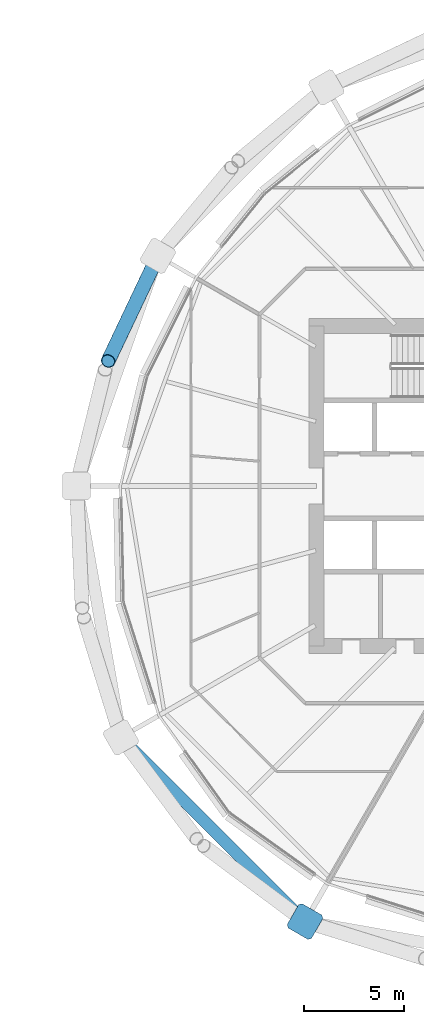
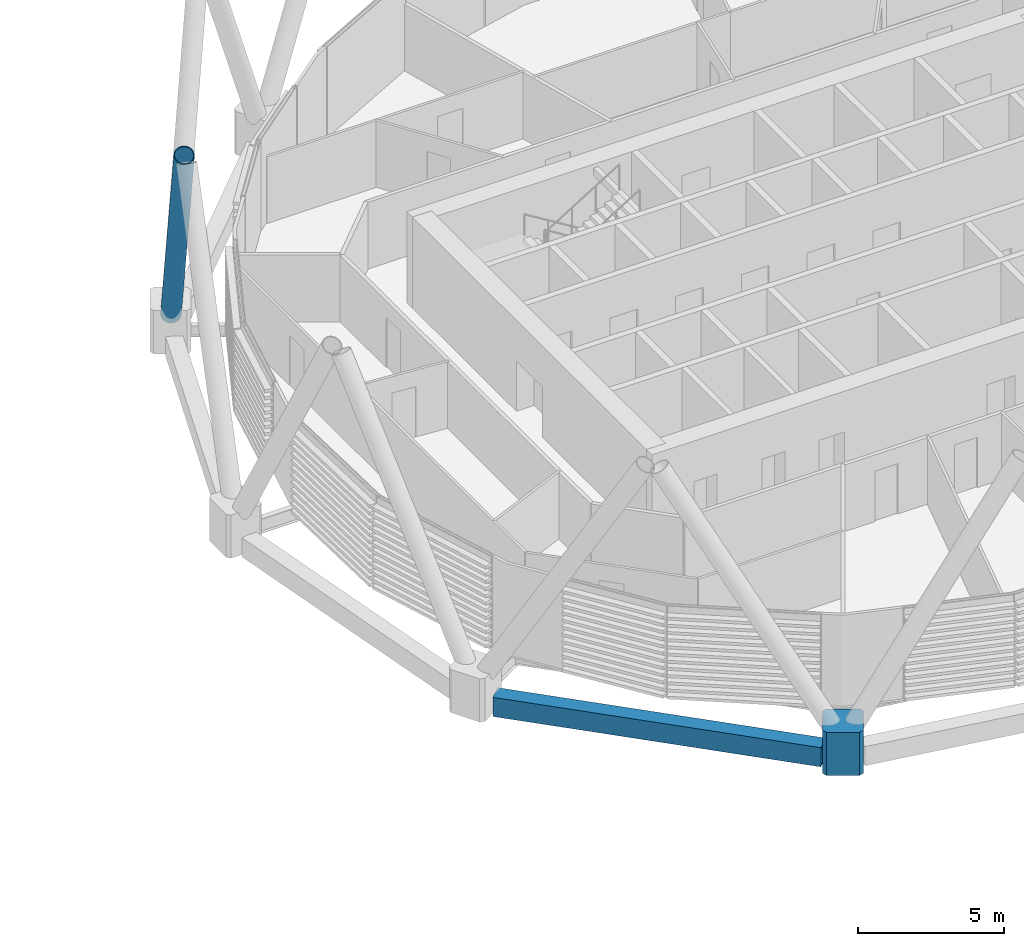
# One storey, part 15 of 39: 2 members, 1 beam.
"""IFC4 building model written with IfcOpenShell, lengths in metres."""

from ifc_helpers import new_model, si_unit, direction, frame, origin, origin_2d, place, context, subcontext, project, spatial, polyline, hollow_rectangle, hollow_circle, outline, extrude, material, material_profile, profile_set, type_object, element, save


model = new_model("IFC4")

# Units and contexts
model_context = context("Model", 3, precision=1e-05, world=origin(), true_north=direction((0.0, 1.0)))
body_context = subcontext(model_context, "Body", "Model", "MODEL_VIEW")
ifc_project = project(units=[si_unit("LENGTHUNIT", "METRE"), si_unit("AREAUNIT", "SQUARE_METRE"), si_unit("VOLUMEUNIT", "CUBIC_METRE"), si_unit("PLANEANGLEUNIT", "RADIAN"), si_unit("MASSUNIT", "GRAM", prefix="KILO")], contexts=[model_context])

# Site, building, storey
site_placement = place(None, origin())
site = spatial("IfcSite", under=ifc_project, at=site_placement, CompositionType="ELEMENT")
building_placement = place(site_placement, origin())
building = spatial("IfcBuilding", under=site, at=building_placement, Name="Rimbun Link Towers", CompositionType="ELEMENT")
storey_placement = place(building_placement, frame((0.0, 0.0, 115.800048828125)))
storey = spatial("IfcBuildingStorey", under=building, at=storey_placement, Name="L28", CompositionType="ELEMENT", Elevation=115.800048828125)

# Members
ifc_material_1 = material(Name="Steel S460NH", Category="steel")
ifc_material_profile_1 = material_profile(ifc_material_1, hollow_circle(Radius=0.355712890625, WallThickness=0.031982421875, at=origin_2d()), Name="Diagrid diagonal CHS 711x32")
ifc_profile_set_1 = profile_set([ifc_material_profile_1], Name="Steel S460NH")
member_type_1 = type_object("IfcMemberType", Name="Diagrid diagonal CHS 711x32", PredefinedType="BRACE", material=ifc_profile_set_1)
member_1_placement = place(storey_placement, frame((11.7392578125, 11.283447265625, 0.441650390625), z_axis=(-0.200760920428, -0.423546072576, 0.883348049884), x_axis=(0.903627343189, -0.428319535675, 0.0)))
element("IfcMember", 1, at=member_1_placement, inside=storey, type_object=member_type_1, Name="Diagrid diagonal T2 L28-L31 07b", PredefinedType="BRACE", context=body_context, shape_type="SweptSolid", body=[
    extrude(hollow_circle(Radius=0.355712890625, WallThickness=0.031982421875, at=origin_2d()), origin(), (0.0, 0.0, 1.0), 11.9052734375),
])
ifc_material_2 = material(Name="Cast steel G20Mn5+QT, Rp0.2 300 MPa", Category="steel")
ifc_material_profile_2 = material_profile(ifc_material_2, outline(polyline([(0.699951171875, -0.570068359375), (0.699951171875, 0.570068359375), (0.570068359375, 0.699951171875), (-0.570068359375, 0.699951171875), (-0.699951171875, 0.570068359375), (-0.699951171875, -0.570068359375), (-0.570068359375, -0.699951171875), (0.570068359375, -0.699951171875), (0.699951171875, -0.570068359375)])), Name="NODE 1400x1400")
ifc_profile_set_2 = profile_set([ifc_material_profile_2], Name="Cast steel G20Mn5+QT, Rp0.2 300 MPa")
member_type_2 = type_object("IfcMemberType", Name="Diagrid node cast 1400", PredefinedType="USERDEFINED", material=ifc_profile_set_2)
member_2_placement = place(storey_placement, frame((19.1865234375, -21.760498046875, -0.900146484375), z_axis=(0.0, 0.0, 1.0), x_axis=(-0.5, -0.866025403784, 0.0)))
element("IfcMember", 2, at=member_2_placement, inside=storey, type_object=member_type_2, Name="Diagrid node L28 13", ObjectType="Diagrid node", PredefinedType="USERDEFINED", context=body_context, shape_type="SweptSolid", body=[
    extrude(outline(polyline([(0.699951171875, -0.570068359375), (0.699951171875, 0.570068359375), (0.570068359375, 0.699951171875), (-0.570068359375, 0.699951171875), (-0.699951171875, 0.570068359375), (-0.699951171875, -0.570068359375), (-0.570068359375, -0.699951171875), (0.570068359375, -0.699951171875), (0.699951171875, -0.570068359375)])), origin(), (0.0, 0.0, 1.0), 1.800048828125),
])

# Beam
ifc_material_3 = material(Name="Steel S355J2", Category="steel")
ifc_material_profile_3 = material_profile(ifc_material_3, hollow_rectangle(XDim=0.60009765625, YDim=0.800048828125, WallThickness=0.0400390625, at=origin_2d()), Name="Exoskeleton ring girder BOX 600x800x40")
ifc_profile_set_3 = profile_set([ifc_material_profile_3], Name="Steel S355J2")
beam_type = type_object("IfcBeamType", Name="Exoskeleton ring girder BOX 600x800x40", PredefinedType="BEAM", material=ifc_profile_set_3)
beam_placement = place(storey_placement, frame((10.484619140625, -13.058349609375, -0.56005859375), z_axis=(0.707106781187, -0.707106781187, 0.0), x_axis=(0.707106781187, 0.707106781187, 0.0)))
element("IfcBeam", 3, at=beam_placement, inside=storey, type_object=beam_type, Name="Exoskeleton ring girder L28 05", PredefinedType="BEAM", context=body_context, shape_type="SweptSolid", body=[
    extrude(hollow_rectangle(XDim=0.60009765625, YDim=0.800048828125, WallThickness=0.0400390625, at=origin_2d()), origin(), (0.0, 0.0, 1.0), 11.6064453125),
])

save(model, "model.ifc")
